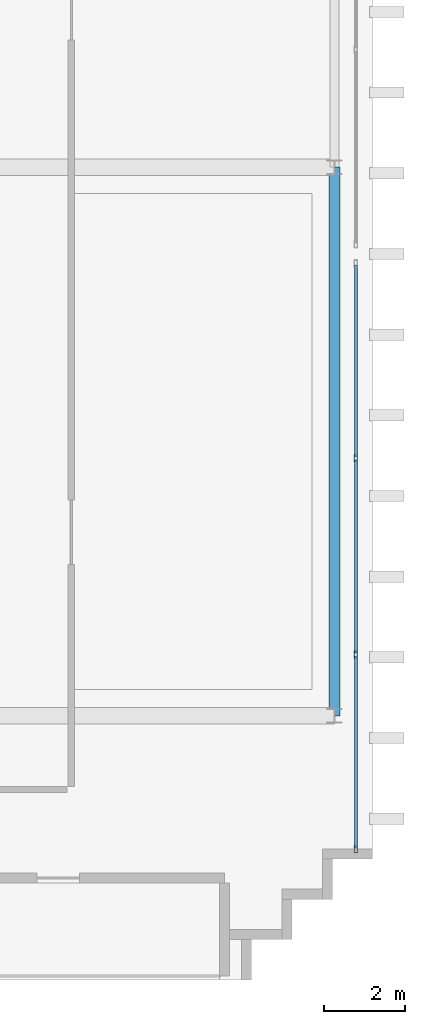
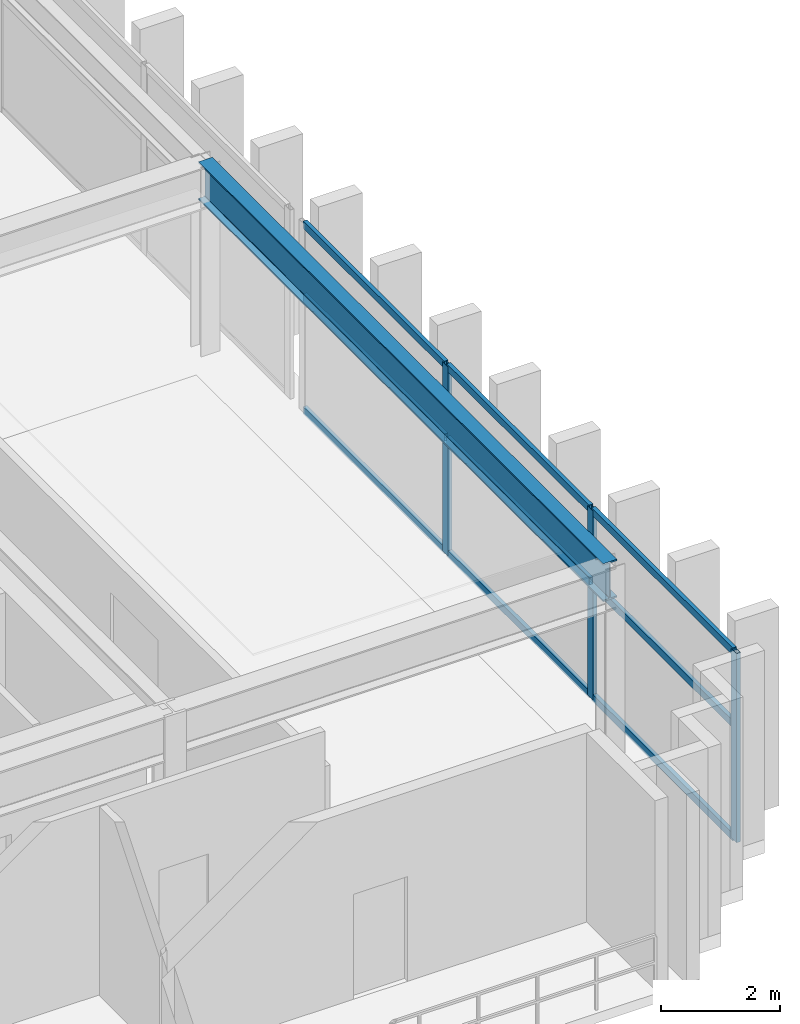
# One storey, part 4 of 15: 12 members, 1 beam, 1 element without a shape of its own.
"""IFC4 building model written with IfcOpenShell, lengths in metres."""

from ifc_helpers import new_model, si_unit, direction, frame, origin, origin_2d, place, context, subcontext, project, spatial, hollow_rectangle, i_section, extrude, source, transform, mapped, material, layer, layer_set, material_profile, profile_set, type_object, element, aggregate, save


model = new_model("IFC4")

# Units and contexts
model_context = context("Model", 3, precision=1e-05, world=origin(), true_north=direction((0.0, 1.0)))
body_context = subcontext(model_context, "Body", "Model", "MODEL_VIEW")
ifc_project = project(units=[si_unit("LENGTHUNIT", "METRE"), si_unit("AREAUNIT", "SQUARE_METRE"), si_unit("VOLUMEUNIT", "CUBIC_METRE"), si_unit("PLANEANGLEUNIT", "RADIAN"), si_unit("MASSUNIT", "GRAM", prefix="KILO")], contexts=[model_context])

# Site, building, storey
site_placement = place(None, origin())
site = spatial("IfcSite", under=ifc_project, at=site_placement, CompositionType="ELEMENT")
building_placement = place(site_placement, origin())
building = spatial("IfcBuilding", under=site, at=building_placement, Name="Ocotamira Hotel", CompositionType="ELEMENT")
storey_placement = place(building_placement, frame((0.0, 0.0, 305.39990234375)))
storey = spatial("IfcBuildingStorey", under=building, at=storey_placement, Name="L78", CompositionType="ELEMENT", Elevation=305.39990234375)

# Beam
ifc_material_1 = material(Name="Steel ASTM A992 Grade 50", Category="steel")
ifc_material_profile_1 = material_profile(ifc_material_1, i_section(OverallWidth=0.26611328125, OverallDepth=0.779052734375, WebThickness=0.0166015625, FlangeThickness=0.030029296875, FilletRadius=0.01806640625, at=origin_2d()), Name="W30X148")
ifc_profile_set_1 = profile_set([ifc_material_profile_1], Name="Steel ASTM A992 Grade 50")
beam_type = type_object("IfcBeamType", Name="BM-GIRD-W30X148", PredefinedType="BEAM", material=ifc_profile_set_1)
shared_shape_1 = source(origin(), body_context, "Body", "SweptSolid", [
    extrude(i_section(OverallWidth=0.26611328125, OverallDepth=0.779052734375, WebThickness=0.0166015625, FlangeThickness=0.030029296875, FilletRadius=0.01806640625, at=origin_2d()), origin(), (0.0, 0.0, 1.0), 13.599853515625),
])
beam_placement = place(storey_placement, frame((32.050048828125, 14.550048828125, 3.490478515625), z_axis=(0.0, 1.0, 0.0), x_axis=(-1.0, 0.0, 0.0)))
element("IfcBeam", 1, at=beam_placement, inside=storey, type_object=beam_type, Name="L78 Beam X32.05 Y14.55-28.15", PredefinedType="BEAM", context=body_context, shape_type="MappedRepresentation", body=[
    mapped(shared_shape_1, transform((0.0, 0.0, 0.0), scale=1.0)),
])

# Curtain wall, members
ifc_material_2 = material(Name="Anodised pale-metal aluminium and solar glass", Category="aluminium")
ifc_layer = layer(ifc_material_2, 0.2099609375)
ifc_layer_set = layer_set([ifc_layer], Name="Anodised pale-metal aluminium and solar glass")
curtain_wall_type = type_object("IfcCurtainWallType", Name="CW-SYS7-PEAK", PredefinedType="NOTDEFINED", material=ifc_layer_set)
curtain_wall_placement = place(storey_placement, origin())
curtain_wall = element("IfcCurtainWall", 2, at=curtain_wall_placement, inside=storey, type_object=curtain_wall_type, Name="L78 Curtain Wall CW-7 CW-L78-E1", PredefinedType="NOTDEFINED")
ifc_material_3 = material(Name="Anodised pale-metal aluminium 6063-T6", Category="aluminium")
ifc_material_profile_2 = material_profile(ifc_material_3, hollow_rectangle(XDim=0.074951171875, YDim=0.14990234375, WallThickness=0.006103515625, at=origin_2d()), Name="HSS150X75X6")
ifc_profile_set_2 = profile_set([ifc_material_profile_2], Name="Anodised pale-metal aluminium 6063-T6")
member_type_1 = type_object("IfcMemberType", Name="CWT-150X75", PredefinedType="USERDEFINED", material=ifc_profile_set_2)
shared_shape_2 = source(origin(), body_context, "Body", "SweptSolid", [
    extrude(hollow_rectangle(XDim=0.074951171875, YDim=0.14990234375, WallThickness=0.006103515625, at=origin_2d()), origin(), (0.0, 0.0, 1.0), 4.74658203125),
])
member_1_placement = place(storey_placement, frame((32.580078125, 11.280029296875, 0.03759765625), z_axis=(0.0, 1.0, 0.0), x_axis=(-1.0, 0.0, 0.0)))
member_1 = element("IfcMember", 3, at=member_1_placement, type_object=member_type_1, Name="CW-7 transom 1.1", ObjectType="TRANSOM", PredefinedType="USERDEFINED", context=body_context, shape_type="MappedRepresentation", body=[
    mapped(shared_shape_2, transform((0.0, 0.0, 0.0), scale=1.0)),
])
member_2_placement = place(storey_placement, frame((32.580078125, 11.280029296875, 2.35009765625), z_axis=(0.0, 1.0, 0.0), x_axis=(-1.0, 0.0, 0.0)))
member_2 = element("IfcMember", 4, at=member_2_placement, type_object=member_type_1, Name="CW-7 transom 1.2", ObjectType="TRANSOM", PredefinedType="USERDEFINED", context=body_context, shape_type="MappedRepresentation", body=[
    mapped(shared_shape_2, transform((0.0, 0.0, 0.0), scale=1.0)),
])
member_3_placement = place(storey_placement, frame((32.580078125, 11.280029296875, 3.842529296875), z_axis=(0.0, 1.0, 0.0), x_axis=(-1.0, 0.0, 0.0)))
member_3 = element("IfcMember", 5, at=member_3_placement, type_object=member_type_1, Name="CW-7 transom 1.3", ObjectType="TRANSOM", PredefinedType="USERDEFINED", context=body_context, shape_type="MappedRepresentation", body=[
    mapped(shared_shape_2, transform((0.0, 0.0, 0.0), scale=1.0)),
])
member_4_placement = place(storey_placement, frame((32.580078125, 20.973388671875, 0.03759765625), z_axis=(0.0, 1.0, 0.0), x_axis=(-1.0, 0.0, 0.0)))
member_4 = element("IfcMember", 6, at=member_4_placement, type_object=member_type_1, Name="CW-7 transom 3.1", ObjectType="TRANSOM", PredefinedType="USERDEFINED", context=body_context, shape_type="MappedRepresentation", body=[
    mapped(shared_shape_2, transform((0.0, 0.0, 0.0), scale=1.0)),
])
member_5_placement = place(storey_placement, frame((32.580078125, 20.973388671875, 2.35009765625), z_axis=(0.0, 1.0, 0.0), x_axis=(-1.0, 0.0, 0.0)))
member_5 = element("IfcMember", 7, at=member_5_placement, type_object=member_type_1, Name="CW-7 transom 3.2", ObjectType="TRANSOM", PredefinedType="USERDEFINED", context=body_context, shape_type="MappedRepresentation", body=[
    mapped(shared_shape_2, transform((0.0, 0.0, 0.0), scale=1.0)),
])
member_6_placement = place(storey_placement, frame((32.580078125, 20.973388671875, 3.842529296875), z_axis=(0.0, 1.0, 0.0), x_axis=(-1.0, 0.0, 0.0)))
member_6 = element("IfcMember", 8, at=member_6_placement, type_object=member_type_1, Name="CW-7 transom 3.3", ObjectType="TRANSOM", PredefinedType="USERDEFINED", context=body_context, shape_type="MappedRepresentation", body=[
    mapped(shared_shape_2, transform((0.0, 0.0, 0.0), scale=1.0)),
])
shared_shape_3 = source(origin(), body_context, "Body", "SweptSolid", [
    extrude(hollow_rectangle(XDim=0.074951171875, YDim=0.14990234375, WallThickness=0.006103515625, at=origin_2d()), origin(), (0.0, 0.0, 1.0), 4.78662109375),
])
member_7_placement = place(storey_placement, frame((32.580078125, 16.106689453125, 0.03759765625), z_axis=(0.0, 1.0, 0.0), x_axis=(-1.0, 0.0, 0.0)))
member_7 = element("IfcMember", 9, at=member_7_placement, type_object=member_type_1, Name="CW-7 transom 2.1", ObjectType="TRANSOM", PredefinedType="USERDEFINED", context=body_context, shape_type="MappedRepresentation", body=[
    mapped(shared_shape_3, transform((0.0, 0.0, 0.0), scale=1.0)),
])
member_8_placement = place(storey_placement, frame((32.580078125, 16.106689453125, 2.35009765625), z_axis=(0.0, 1.0, 0.0), x_axis=(-1.0, 0.0, 0.0)))
member_8 = element("IfcMember", 10, at=member_8_placement, type_object=member_type_1, Name="CW-7 transom 2.2", ObjectType="TRANSOM", PredefinedType="USERDEFINED", context=body_context, shape_type="MappedRepresentation", body=[
    mapped(shared_shape_3, transform((0.0, 0.0, 0.0), scale=1.0)),
])
member_9_placement = place(storey_placement, frame((32.580078125, 16.106689453125, 3.842529296875), z_axis=(0.0, 1.0, 0.0), x_axis=(-1.0, 0.0, 0.0)))
member_9 = element("IfcMember", 11, at=member_9_placement, type_object=member_type_1, Name="CW-7 transom 2.3", ObjectType="TRANSOM", PredefinedType="USERDEFINED", context=body_context, shape_type="MappedRepresentation", body=[
    mapped(shared_shape_3, transform((0.0, 0.0, 0.0), scale=1.0)),
])
ifc_material_profile_3 = material_profile(ifc_material_3, hollow_rectangle(XDim=0.080078125, YDim=0.179931640625, WallThickness=0.006103515625, at=origin_2d()), Name="HSS180X80X6")
ifc_profile_set_3 = profile_set([ifc_material_profile_3], Name="Anodised pale-metal aluminium 6063-T6")
member_type_2 = type_object("IfcMemberType", Name="CWM-180X75", PredefinedType="MULLION", material=ifc_profile_set_3)
shared_shape_4 = source(origin(), body_context, "Body", "SweptSolid", [
    extrude(hollow_rectangle(XDim=0.080078125, YDim=0.179931640625, WallThickness=0.006103515625, at=origin_2d()), origin(), (0.0, 0.0, 1.0), 3.880126953125),
])
member_10_placement = place(storey_placement, frame((32.580078125, 11.239990234375, 0.0), z_axis=(0.0, 0.0, 1.0), x_axis=(-1.0, 0.0, 0.0)))
member_10 = element("IfcMember", 12, at=member_10_placement, type_object=member_type_2, Name="CW-7 mullion 1", PredefinedType="MULLION", context=body_context, shape_type="MappedRepresentation", body=[
    mapped(shared_shape_4, transform((0.0, 0.0, 0.0), scale=1.0)),
])
member_11_placement = place(storey_placement, frame((32.580078125, 16.066650390625, 0.0), z_axis=(0.0, 0.0, 1.0), x_axis=(-1.0, 0.0, 0.0)))
member_11 = element("IfcMember", 13, at=member_11_placement, type_object=member_type_2, Name="CW-7 mullion 2", PredefinedType="MULLION", context=body_context, shape_type="MappedRepresentation", body=[
    mapped(shared_shape_4, transform((0.0, 0.0, 0.0), scale=1.0)),
])
member_12_placement = place(storey_placement, frame((32.580078125, 20.933349609375, 0.0), z_axis=(0.0, 0.0, 1.0), x_axis=(-1.0, 0.0, 0.0)))
member_12 = element("IfcMember", 14, at=member_12_placement, type_object=member_type_2, Name="CW-7 mullion 3", PredefinedType="MULLION", context=body_context, shape_type="MappedRepresentation", body=[
    mapped(shared_shape_4, transform((0.0, 0.0, 0.0), scale=1.0)),
])
aggregate(curtain_wall, [member_10, member_11, member_12, member_1, member_2, member_3, member_7, member_8, member_9, member_4, member_5, member_6])

save(model, "model.ifc")
